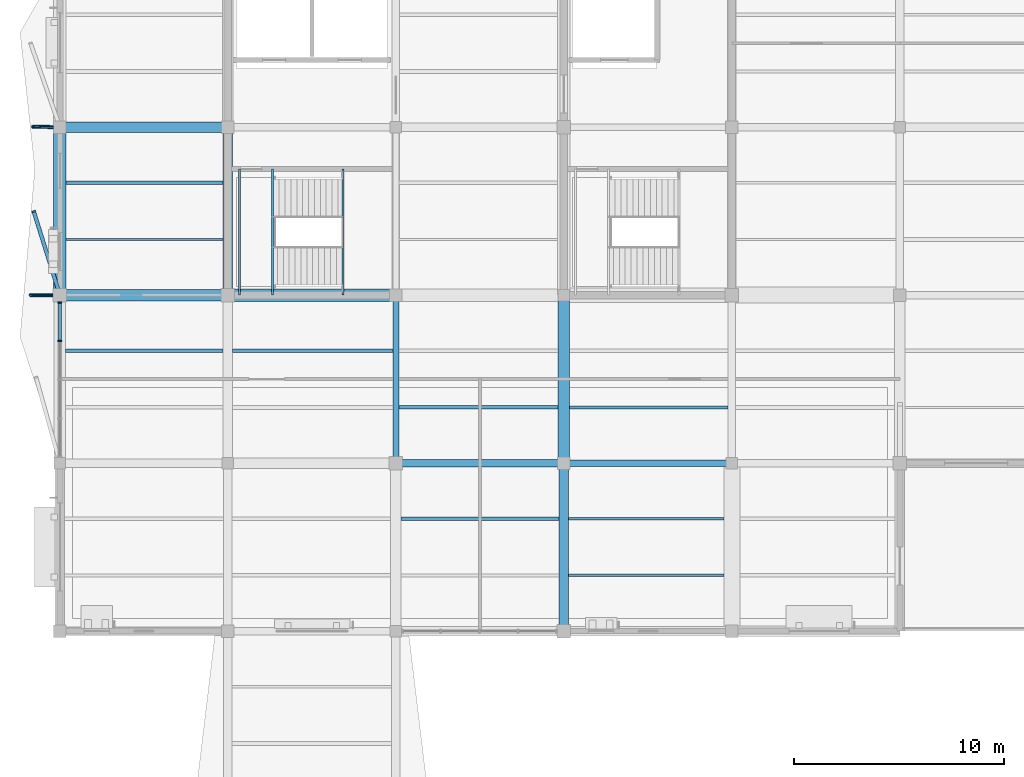
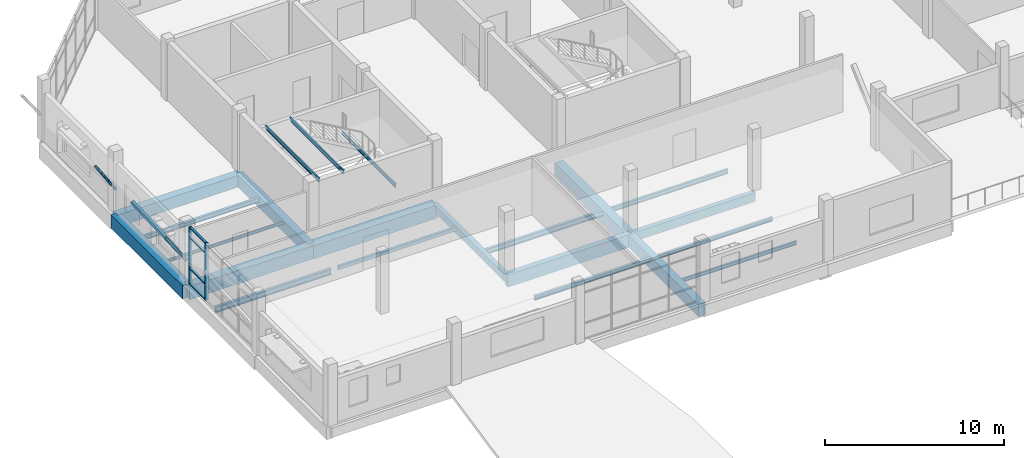
# One storey, part 16 of 72: 22 beams, 9 members, 1 element without a shape of its own.
"""IFC4 building model written with IfcOpenShell, lengths in metres."""

from ifc_helpers import new_model, si_unit, direction, frame, origin, origin_2d, place, context, subcontext, project, spatial, rectangle, hollow_rectangle, hollow_circle, i_section, extrude, material, material_profile, profile_set, type_object, element, aggregate, save


model = new_model("IFC4")

# Units and contexts
model_context = context("Model", 3, precision=1e-05, world=origin(), true_north=direction((0.0, 1.0)))
body_context = subcontext(model_context, "Body", "Model", "MODEL_VIEW")
ifc_project = project(units=[si_unit("LENGTHUNIT", "METRE"), si_unit("AREAUNIT", "SQUARE_METRE"), si_unit("VOLUMEUNIT", "CUBIC_METRE"), si_unit("PLANEANGLEUNIT", "RADIAN"), si_unit("MASSUNIT", "GRAM", prefix="KILO")], contexts=[model_context])

# Site, building, storey
site_placement = place(None, origin())
site = spatial("IfcSite", under=ifc_project, at=site_placement, CompositionType="ELEMENT")
building_placement = place(site_placement, origin())
building = spatial("IfcBuilding", under=site, at=building_placement, Name="Tenunan Teduh Sports Hall", CompositionType="ELEMENT")
storey_placement = place(building_placement, frame((0.0, 0.0, 15.0)))
storey = spatial("IfcBuildingStorey", under=building, at=storey_placement, Name="L03", CompositionType="ELEMENT", Elevation=15.0)

# Beams
ifc_material_1 = material(Name="Concrete C40/50", Category="concrete")
ifc_material_profile_1 = material_profile(ifc_material_1, rectangle(XDim=0.300048828125, YDim=0.5, at=origin_2d()), Name="RCB 300x500")
ifc_profile_set_1 = profile_set([ifc_material_profile_1], Name="Concrete C40/50")
beam_type_1 = type_object("IfcBeamType", Name="BM-RC-300x500", PredefinedType="BEAM", material=ifc_profile_set_1)
beam_1_placement = place(storey_placement, frame((22.0, 86.0, -0.489990234375), z_axis=(0.0, 1.0, 0.0), x_axis=(-1.0, 0.0, 0.0)))
element("IfcBeam", 1, at=beam_1_placement, inside=storey, type_object=beam_type_1, Name="BM-B-01-L03-1899", PredefinedType="BEAM", context=body_context, shape_type="SweptSolid", body=[
    extrude(rectangle(XDim=0.300048828125, YDim=0.5, at=origin_2d()), origin(), (0.0, 0.0, 1.0), 8.0),
])
ifc_material_2 = material(Name="Concrete C40/50", Category="concrete")
ifc_material_profile_2 = material_profile(ifc_material_2, rectangle(XDim=0.300048828125, YDim=0.60009765625, at=origin_2d()), Name="RCB 300x600")
ifc_profile_set_2 = profile_set([ifc_material_profile_2], Name="Concrete C40/50")
beam_type_2 = type_object("IfcBeamType", Name="BM-RC-300x600", PredefinedType="BEAM", material=ifc_profile_set_2)
beam_2_placement = place(storey_placement, frame((30.0, 86.0, -0.5400390625), z_axis=(1.0, 0.0, 0.0), x_axis=(0.0, 1.0, 0.0)))
element("IfcBeam", 2, at=beam_2_placement, inside=storey, type_object=beam_type_2, Name="BM-B-03-L03-1837", PredefinedType="BEAM", context=body_context, shape_type="SweptSolid", body=[
    extrude(rectangle(XDim=0.300048828125, YDim=0.60009765625, at=origin_2d()), origin(), (0.0, 0.0, 1.0), 8.0),
])
ifc_material_3 = material(Name="Concrete C40/50", Category="concrete")
ifc_material_profile_3 = material_profile(ifc_material_3, rectangle(XDim=0.449951171875, YDim=0.800048828125, at=origin_2d()), Name="RCB 450x800")
ifc_profile_set_3 = profile_set([ifc_material_profile_3], Name="Concrete C40/50")
beam_type_3 = type_object("IfcBeamType", Name="BM-RC-450x800", PredefinedType="BEAM", material=ifc_profile_set_3)
beam_3_placement = place(storey_placement, frame((14.0, 94.0, -0.639892578125), z_axis=(0.0, 1.0, 0.0), x_axis=(-1.0, 0.0, 0.0)))
element("IfcBeam", 3, at=beam_3_placement, inside=storey, type_object=beam_type_3, Name="BM-B-12-L03-1891", PredefinedType="BEAM", context=body_context, shape_type="SweptSolid", body=[
    extrude(rectangle(XDim=0.449951171875, YDim=0.800048828125, at=origin_2d()), origin(), (0.0, 0.0, 1.0), 8.0),
])
ifc_material_4 = material(Name="Concrete C40/50", Category="concrete")
ifc_material_profile_4 = material_profile(ifc_material_4, rectangle(XDim=0.449951171875, YDim=0.85009765625, at=origin_2d()), Name="RCB 450x850")
ifc_profile_set_4 = profile_set([ifc_material_profile_4], Name="Concrete C40/50")
beam_type_4 = type_object("IfcBeamType", Name="BM-RC-450x850", PredefinedType="BEAM", material=ifc_profile_set_4)
beam_4_placement = place(storey_placement, frame((30.0, 78.0, -0.6650390625), z_axis=(0.0, 1.0, 0.0), x_axis=(-1.0, 0.0, 0.0)))
element("IfcBeam", 4, at=beam_4_placement, inside=storey, type_object=beam_type_4, Name="BM-B-13-L03-1903", PredefinedType="BEAM", context=body_context, shape_type="SweptSolid", body=[
    extrude(rectangle(XDim=0.449951171875, YDim=0.85009765625, at=origin_2d()), origin(), (0.0, 0.0, 1.0), 8.0),
])
ifc_material_5 = material(Name="Concrete C40/50", Category="concrete")
ifc_material_profile_5 = material_profile(ifc_material_5, rectangle(XDim=0.5, YDim=0.800048828125, at=origin_2d()), Name="RCB 500x800")
ifc_profile_set_5 = profile_set([ifc_material_profile_5], Name="Concrete C40/50")
beam_type_5 = type_object("IfcBeamType", Name="BM-RC-500x800", PredefinedType="BEAM", material=ifc_profile_set_5)
beam_5_placement = place(storey_placement, frame((6.0, 102.0, -0.639892578125), z_axis=(1.0, 0.0, 0.0), x_axis=(0.0, 1.0, 0.0)))
element("IfcBeam", 5, at=beam_5_placement, inside=storey, type_object=beam_type_5, Name="BM-B-14-L03-1851", PredefinedType="BEAM", context=body_context, shape_type="SweptSolid", body=[
    extrude(rectangle(XDim=0.5, YDim=0.800048828125, at=origin_2d()), origin(), (0.0, 0.0, 1.0), 8.0),
])
ifc_material_6 = material(Name="Concrete C40/50", Category="concrete")
ifc_material_profile_6 = material_profile(ifc_material_6, rectangle(XDim=0.550048828125, YDim=0.89990234375, at=origin_2d()), Name="RCB 550x900")
ifc_profile_set_6 = profile_set([ifc_material_profile_6], Name="Concrete C40/50")
beam_type_6 = type_object("IfcBeamType", Name="BM-RC-550x900", PredefinedType="BEAM", material=ifc_profile_set_6)
for number, where, z_axis, x_axis, name in (
    (6, (6.0, 94.0, -0.68994140625), (1.0, 0.0, 0.0), (0.0, 1.0, 0.0), "BM-B-16-L03-1841"),
    (7, (30.0, 86.0, -0.68994140625), (0.0, 1.0, 0.0), (-1.0, 0.0, 0.0), "BM-B-16-L03-1904"),
):
    element("IfcBeam", number, at=place(storey_placement, frame(where, z_axis=z_axis, x_axis=x_axis)), inside=storey, type_object=beam_type_6, Name=name, PredefinedType="BEAM", context=body_context, shape_type="SweptSolid", body=[
        extrude(rectangle(XDim=0.550048828125, YDim=0.89990234375, at=origin_2d()), origin(), (0.0, 0.0, 1.0), 8.0),
    ])
ifc_material_7 = material(Name="Concrete C40/50", Category="concrete")
ifc_material_profile_7 = material_profile(ifc_material_7, rectangle(XDim=0.60009765625, YDim=0.89990234375, at=origin_2d()), Name="RCB 600x900")
ifc_profile_set_7 = profile_set([ifc_material_profile_7], Name="Concrete C40/50")
beam_type_7 = type_object("IfcBeamType", Name="BM-RC-600x900", PredefinedType="BEAM", material=ifc_profile_set_7)
for number, where, z_axis, x_axis, name in (
    (8, (14.0, 94.0, -0.68994140625), (1.0, 0.0, 0.0), (0.0, 1.0, 0.0), "BM-B-17-L03-1842"),
    (9, (6.0, 94.0, -0.68994140625), (0.0, 1.0, 0.0), (-1.0, 0.0, 0.0), "BM-B-17-L03-1883"),
):
    element("IfcBeam", number, at=place(storey_placement, frame(where, z_axis=z_axis, x_axis=x_axis)), inside=storey, type_object=beam_type_7, Name=name, PredefinedType="BEAM", context=body_context, shape_type="SweptSolid", body=[
        extrude(rectangle(XDim=0.60009765625, YDim=0.89990234375, at=origin_2d()), origin(), (0.0, 0.0, 1.0), 8.0),
    ])
ifc_material_8 = material(Name="Concrete C40/50", Category="concrete")
ifc_material_profile_8 = material_profile(ifc_material_8, rectangle(XDim=0.35009765625, YDim=0.85009765625, at=origin_2d()), Name="SPB 350x850")
ifc_profile_set_8 = profile_set([ifc_material_profile_8], Name="Concrete C40/50")
beam_type_8 = type_object("IfcBeamType", Name="BM-SP-350x850", PredefinedType="SPANDREL", material=ifc_profile_set_8)
beam_6_placement = place(storey_placement, frame((22.0, 86.0, -0.6650390625), z_axis=(1.0, 0.0, 0.0), x_axis=(0.0, 1.0, 0.0)))
element("IfcBeam", 10, at=beam_6_placement, inside=storey, type_object=beam_type_8, Name="BM-SP-02-L03-1836", PredefinedType="SPANDREL", context=body_context, shape_type="SweptSolid", body=[
    extrude(rectangle(XDim=0.35009765625, YDim=0.85009765625, at=origin_2d()), origin(), (0.0, 0.0, 1.0), 8.0),
])

# Curtain wall, members
ifc_material_9 = material(Name="Anodised aluminium", Category="aluminium")
curtain_wall_type = type_object("IfcCurtainWallType", Name="CW-UNIT-2", PredefinedType="NOTDEFINED", material=ifc_material_9)
curtain_wall_placement = place(storey_placement, origin())
curtain_wall = element("IfcCurtainWall", 11, at=curtain_wall_placement, inside=storey, type_object=curtain_wall_type, Name="CW-CWM-200-L03-228", PredefinedType="NOTDEFINED")
ifc_material_10 = material(Name="Anodised aluminium", Category="aluminium")
ifc_material_profile_9 = material_profile(ifc_material_10, rectangle(XDim=0.070068359375, YDim=0.199951171875, at=origin_2d()), Name="CWM 70x200")
ifc_profile_set_9 = profile_set([ifc_material_profile_9], Name="Anodised aluminium")
member_type_1 = type_object("IfcMemberType", Name="CWM-200", PredefinedType="MULLION", material=ifc_profile_set_9)
member_1_placement = place(storey_placement, frame((6.0, 91.824951171875, 0.0), z_axis=(0.0, 0.0, 1.0), x_axis=(0.0, 1.0, 0.0)))
member_1 = element("IfcMember", 12, at=member_1_placement, type_object=member_type_1, Name="CW-02 mullion 4", PredefinedType="MULLION", context=body_context, shape_type="SweptSolid", body=[
    extrude(rectangle(XDim=0.070068359375, YDim=0.199951171875, at=origin_2d()), origin(), (0.0, 0.0, 1.0), 3.919921875),
])
member_2_placement = place(storey_placement, frame((6.0, 93.639892578125, 0.0), z_axis=(0.0, 0.0, 1.0), x_axis=(0.0, 1.0, 0.0)))
member_2 = element("IfcMember", 13, at=member_2_placement, type_object=member_type_1, Name="CW-02 mullion 5", PredefinedType="MULLION", context=body_context, shape_type="SweptSolid", body=[
    extrude(rectangle(XDim=0.070068359375, YDim=0.199951171875, at=origin_2d()), origin(), (0.0, 0.0, 1.0), 3.919921875),
])
ifc_material_11 = material(Name="Anodised aluminium", Category="aluminium")
ifc_material_profile_10 = material_profile(ifc_material_11, rectangle(XDim=0.070068359375, YDim=0.159912109375, at=origin_2d()), Name="CWT 70x160")
ifc_profile_set_10 = profile_set([ifc_material_profile_10], Name="Anodised aluminium")
member_type_2 = type_object("IfcMemberType", Name="CWT-200", PredefinedType="USERDEFINED", material=ifc_profile_set_10)
member_3_placement = place(storey_placement, frame((6.0, 91.860107421875, 0.034912109375), z_axis=(0.0, 1.0, 0.0), x_axis=(0.0, 0.0, 1.0)))
member_3 = element("IfcMember", 14, at=member_3_placement, type_object=member_type_2, Name="CW-02 transom 4.1", ObjectType="TRANSOM", PredefinedType="USERDEFINED", context=body_context, shape_type="SweptSolid", body=[
    extrude(rectangle(XDim=0.070068359375, YDim=0.159912109375, at=origin_2d()), origin(), (0.0, 0.0, 1.0), 1.744873046875),
])
member_4_placement = place(storey_placement, frame((6.0, 91.860107421875, 1.10009765625), z_axis=(0.0, 1.0, 0.0), x_axis=(0.0, 0.0, 1.0)))
member_4 = element("IfcMember", 15, at=member_4_placement, type_object=member_type_2, Name="CW-02 transom 4.2", ObjectType="TRANSOM", PredefinedType="USERDEFINED", context=body_context, shape_type="SweptSolid", body=[
    extrude(rectangle(XDim=0.070068359375, YDim=0.159912109375, at=origin_2d()), origin(), (0.0, 0.0, 1.0), 1.744873046875),
])
member_5_placement = place(storey_placement, frame((6.0, 91.860107421875, 3.199951171875), z_axis=(0.0, 1.0, 0.0), x_axis=(0.0, 0.0, 1.0)))
member_5 = element("IfcMember", 16, at=member_5_placement, type_object=member_type_2, Name="CW-02 transom 4.3", ObjectType="TRANSOM", PredefinedType="USERDEFINED", context=body_context, shape_type="SweptSolid", body=[
    extrude(rectangle(XDim=0.070068359375, YDim=0.159912109375, at=origin_2d()), origin(), (0.0, 0.0, 1.0), 1.744873046875),
])
member_6_placement = place(storey_placement, frame((6.0, 91.860107421875, 3.885009765625), z_axis=(0.0, 1.0, 0.0), x_axis=(0.0, 0.0, 1.0)))
member_6 = element("IfcMember", 17, at=member_6_placement, type_object=member_type_2, Name="CW-02 transom 4.4", ObjectType="TRANSOM", PredefinedType="USERDEFINED", context=body_context, shape_type="SweptSolid", body=[
    extrude(rectangle(XDim=0.070068359375, YDim=0.159912109375, at=origin_2d()), origin(), (0.0, 0.0, 1.0), 1.744873046875),
])
aggregate(curtain_wall, [member_1, member_2, member_3, member_4, member_5, member_6])

# Beams
ifc_material_12 = material(Name="Steel S355", Category="steel")
ifc_material_profile_11 = material_profile(ifc_material_12, i_section(OverallWidth=0.10009765625, OverallDepth=0.199951171875, WebThickness=0.005615234375, FlangeThickness=0.008544921875, FilletRadius=0.011962890625, at=origin_2d()), Name="IPE 200")
ifc_profile_set_11 = profile_set([ifc_material_profile_11], Name="Steel S355")
beam_type_9 = type_object("IfcBeamType", Name="JST-IPE200", PredefinedType="JOIST", material=ifc_profile_set_11)
beam_7_placement = place(storey_placement, frame((6.300048828125, 96.64990234375, -0.340087890625), z_axis=(1.0, 0.0, 0.0), x_axis=(0.0, 1.0, 0.0)))
element("IfcBeam", 18, at=beam_7_placement, inside=storey, type_object=beam_type_9, Name="BM-J-01-L03-1950", PredefinedType="JOIST", context=body_context, shape_type="SweptSolid", body=[
    extrude(i_section(OverallWidth=0.10009765625, OverallDepth=0.199951171875, WebThickness=0.005615234375, FlangeThickness=0.008544921875, FilletRadius=0.011962890625, at=origin_2d()), origin(), (0.0, 0.0, 1.0), 7.474853515625),
])
ifc_material_13 = material(Name="Steel S355", Category="steel")
ifc_material_profile_12 = material_profile(ifc_material_13, i_section(OverallWidth=0.1201171875, OverallDepth=0.239990234375, WebThickness=0.006103515625, FlangeThickness=0.009765625, FilletRadius=0.014892578125, at=origin_2d()), Name="IPE 240")
ifc_profile_set_12 = profile_set([ifc_material_profile_12], Name="Steel S355")
beam_type_10 = type_object("IfcBeamType", Name="JST-IPE240", PredefinedType="JOIST", material=ifc_profile_set_12)
beam_8_placement = place(storey_placement, frame((30.22509765625, 80.64990234375, -0.360107421875), z_axis=(1.0, 0.0, 0.0), x_axis=(0.0, 1.0, 0.0)))
element("IfcBeam", 19, at=beam_8_placement, inside=storey, type_object=beam_type_10, Name="BM-J-02-L03-1978", PredefinedType="JOIST", context=body_context, shape_type="SweptSolid", body=[
    extrude(i_section(OverallWidth=0.1201171875, OverallDepth=0.239990234375, WebThickness=0.006103515625, FlangeThickness=0.009765625, FilletRadius=0.014892578125, at=origin_2d()), origin(), (0.0, 0.0, 1.0), 7.39990234375),
])
ifc_material_14 = material(Name="Steel S355", Category="steel")
ifc_material_profile_13 = material_profile(ifc_material_14, i_section(OverallWidth=0.135009765625, OverallDepth=0.27001953125, WebThickness=0.006591796875, FlangeThickness=0.01025390625, FilletRadius=0.014892578125, at=origin_2d()), Name="IPE 270")
ifc_profile_set_13 = profile_set([ifc_material_profile_13], Name="Steel S355")
beam_type_11 = type_object("IfcBeamType", Name="JST-IPE270", PredefinedType="JOIST", material=ifc_profile_set_13)
beam_9_placement = place(storey_placement, frame((30.22509765625, 83.35009765625, -0.375), z_axis=(1.0, 0.0, 0.0), x_axis=(0.0, 1.0, 0.0)))
element("IfcBeam", 20, at=beam_9_placement, inside=storey, type_object=beam_type_11, Name="BM-J-03-L03-1979", PredefinedType="JOIST", context=body_context, shape_type="SweptSolid", body=[
    extrude(i_section(OverallWidth=0.135009765625, OverallDepth=0.27001953125, WebThickness=0.006591796875, FlangeThickness=0.01025390625, FilletRadius=0.014892578125, at=origin_2d()), origin(), (0.0, 0.0, 1.0), 7.39990234375),
])
ifc_material_15 = material(Name="Steel S355", Category="steel")
ifc_material_profile_14 = material_profile(ifc_material_15, i_section(OverallWidth=0.14990234375, OverallDepth=0.300048828125, WebThickness=0.007080078125, FlangeThickness=0.0107421875, FilletRadius=0.014892578125, at=origin_2d()), Name="IPE 300")
ifc_profile_set_14 = profile_set([ifc_material_profile_14], Name="Steel S355")
beam_type_12 = type_object("IfcBeamType", Name="JST-IPE300", PredefinedType="JOIST", material=ifc_profile_set_14)
beam_10_placement = place(storey_placement, frame((22.25, 83.35009765625, -0.389892578125), z_axis=(1.0, 0.0, 0.0), x_axis=(0.0, 1.0, 0.0)))
element("IfcBeam", 21, at=beam_10_placement, inside=storey, type_object=beam_type_12, Name="BM-J-04-L03-1969", PredefinedType="JOIST", context=body_context, shape_type="SweptSolid", body=[
    extrude(i_section(OverallWidth=0.14990234375, OverallDepth=0.300048828125, WebThickness=0.007080078125, FlangeThickness=0.0107421875, FilletRadius=0.014892578125, at=origin_2d()), origin(), (0.0, 0.0, 1.0), 7.52490234375),
])
beam_11_placement = place(storey_placement, frame((30.27490234375, 88.64990234375, -0.389892578125), z_axis=(1.0, 0.0, 0.0), x_axis=(0.0, 1.0, 0.0)))
element("IfcBeam", 22, at=beam_11_placement, inside=storey, type_object=beam_type_12, Name="BM-J-04-L03-1980", PredefinedType="JOIST", context=body_context, shape_type="SweptSolid", body=[
    extrude(i_section(OverallWidth=0.14990234375, OverallDepth=0.300048828125, WebThickness=0.007080078125, FlangeThickness=0.0107421875, FilletRadius=0.014892578125, at=origin_2d()), origin(), (0.0, 0.0, 1.0), 7.550048828125),
])
ifc_material_16 = material(Name="Steel S355", Category="steel")
ifc_material_profile_15 = material_profile(ifc_material_16, i_section(OverallWidth=0.169921875, OverallDepth=0.360107421875, WebThickness=0.008056640625, FlangeThickness=0.0126953125, FilletRadius=0.01806640625, at=origin_2d()), Name="IPE 360")
ifc_profile_set_15 = profile_set([ifc_material_profile_15], Name="Steel S355")
beam_type_13 = type_object("IfcBeamType", Name="JST-IPE360", PredefinedType="JOIST", material=ifc_profile_set_15)
beam_12_placement = place(storey_placement, frame((22.14990234375, 88.64990234375, -0.419921875), z_axis=(1.0, 0.0, 0.0), x_axis=(0.0, 1.0, 0.0)))
element("IfcBeam", 23, at=beam_12_placement, inside=storey, type_object=beam_type_13, Name="BM-J-05-L03-1970", PredefinedType="JOIST", context=body_context, shape_type="SweptSolid", body=[
    extrude(i_section(OverallWidth=0.169921875, OverallDepth=0.360107421875, WebThickness=0.008056640625, FlangeThickness=0.0126953125, FilletRadius=0.01806640625, at=origin_2d()), origin(), (0.0, 0.0, 1.0), 7.5751953125),
])
ifc_material_17 = material(Name="Steel S355", Category="steel")
ifc_material_profile_16 = material_profile(ifc_material_17, i_section(OverallWidth=0.179931640625, OverallDepth=0.39990234375, WebThickness=0.008544921875, FlangeThickness=0.013427734375, FilletRadius=0.02099609375, at=origin_2d()), Name="IPE 400")
ifc_profile_set_16 = profile_set([ifc_material_profile_16], Name="Steel S355")
beam_type_14 = type_object("IfcBeamType", Name="JST-IPE400", PredefinedType="JOIST", material=ifc_profile_set_16)
beam_13_placement = place(storey_placement, frame((6.27490234375, 91.35009765625, -0.43994140625), z_axis=(1.0, 0.0, 0.0), x_axis=(0.0, 1.0, 0.0)))
element("IfcBeam", 24, at=beam_13_placement, inside=storey, type_object=beam_type_14, Name="BM-J-06-L03-1949", PredefinedType="JOIST", context=body_context, shape_type="SweptSolid", body=[
    extrude(i_section(OverallWidth=0.179931640625, OverallDepth=0.39990234375, WebThickness=0.008544921875, FlangeThickness=0.013427734375, FilletRadius=0.02099609375, at=origin_2d()), origin(), (0.0, 0.0, 1.0), 7.5),
])

# Members
ifc_material_18 = material(Name="Steel S355", Category="steel")
ifc_material_profile_17 = material_profile(ifc_material_18, hollow_circle(Radius=0.084228515625, WallThickness=0.008056640625, at=origin_2d()), Name="CHS 168.3x8.0")
ifc_profile_set_17 = profile_set([ifc_material_profile_17], Name="Steel S355")
member_type_3 = type_object("IfcMemberType", Name="MEM-BR-CHS168", PredefinedType="BRACE", material=ifc_profile_set_17)
member_7_placement = place(storey_placement, frame((6.0, 94.0, 1.39990234375), z_axis=(-0.56960249662, 0.0, 0.821920309911), x_axis=(0.0, -1.0, 0.0)))
element("IfcMember", 25, at=member_7_placement, inside=storey, type_object=member_type_3, Name="MEM-GD-04-L03-1271", PredefinedType="BRACE", context=body_context, shape_type="SweptSolid", body=[
    extrude(hollow_circle(Radius=0.084228515625, WallThickness=0.008056640625, at=origin_2d()), origin(), (0.0, 0.0, 1.0), 2.457763671875),
])
member_8_placement = place(storey_placement, frame((6.0, 102.0, 1.39990234375), z_axis=(-0.536993854343, 0.00509772028, 0.843570752009), x_axis=(-0.009492642338, -0.999954943856, 0.0)))
element("IfcMember", 26, at=member_8_placement, inside=storey, type_object=member_type_3, Name="MEM-GD-04-L03-1273", PredefinedType="BRACE", context=body_context, shape_type="SweptSolid", body=[
    extrude(hollow_circle(Radius=0.084228515625, WallThickness=0.008056640625, at=origin_2d()), origin(), (0.0, 0.0, 1.0), 2.39453125),
])
ifc_material_19 = material(Name="Steel S355", Category="steel")
ifc_material_profile_18 = material_profile(ifc_material_19, hollow_rectangle(XDim=0.179931640625, YDim=0.179931640625, WallThickness=0.010009765625, at=origin_2d()), Name="SHS 180x180x10.0")
ifc_profile_set_18 = profile_set([ifc_material_profile_18], Name="Steel S355")
member_type_4 = type_object("IfcMemberType", Name="MEM-ST-SHS180", PredefinedType="STRUT", material=ifc_profile_set_18)
member_9_placement = place(storey_placement, frame((6.0, 94.0, 1.39990234375), z_axis=(-0.268479569831, 0.859271441744, 0.435397875497), x_axis=(-0.954493498416, -0.298231724473, 0.0)))
element("IfcMember", 27, at=member_9_placement, inside=storey, type_object=member_type_4, Name="MEM-VS-03-L03-1272", PredefinedType="STRUT", context=body_context, shape_type="SweptSolid", body=[
    extrude(hollow_rectangle(XDim=0.179931640625, YDim=0.179931640625, WallThickness=0.010009765625, at=origin_2d()), origin(), (0.0, 0.0, 1.0), 4.639404296875),
])

# Beams
ifc_material_20 = material(Name="Steel S355", Category="steel")
ifc_material_profile_19 = material_profile(ifc_material_20, hollow_rectangle(XDim=0.14990234375, YDim=0.25, WallThickness=0.010009765625, at=origin_2d()), Name="RHS 250x150x10.0")
ifc_profile_set_19 = profile_set([ifc_material_profile_19], Name="Steel S355")
beam_type_15 = type_object("IfcBeamType", Name="RBM-RHS250", PredefinedType="BEAM", material=ifc_profile_set_19)
beam_14_placement = place(storey_placement, frame((14.22509765625, 91.35009765625, -0.364990234375), z_axis=(1.0, 0.0, 0.0), x_axis=(0.0, 1.0, 0.0)))
element("IfcBeam", 28, at=beam_14_placement, inside=storey, type_object=beam_type_15, Name="Perimeter Ring Beam BM-RB-04-L03-1965", PredefinedType="BEAM", context=body_context, shape_type="SweptSolid", body=[
    extrude(hollow_rectangle(XDim=0.14990234375, YDim=0.25, WallThickness=0.010009765625, at=origin_2d()), origin(), (0.0, 0.0, 1.0), 7.625),
])
ifc_material_21 = material(Name="Steel S355", Category="steel")
ifc_material_profile_20 = material_profile(ifc_material_21, i_section(OverallWidth=0.1650390625, OverallDepth=0.303466796875, WebThickness=0.006103515625, FlangeThickness=0.01025390625, FilletRadius=0.0087890625, at=origin_2d()), Name="UKB 305x165x40")
ifc_profile_set_20 = profile_set([ifc_material_profile_20], Name="Steel S355")
beam_type_16 = type_object("IfcBeamType", Name="SBM-UKB305", PredefinedType="BEAM", material=ifc_profile_set_20)
beam_15_placement = place(storey_placement, frame((6.300048828125, 99.35009765625, -0.3916015625), z_axis=(1.0, 0.0, 0.0), x_axis=(0.0, 1.0, 0.0)))
element("IfcBeam", 29, at=beam_15_placement, inside=storey, type_object=beam_type_16, Name="BM-SB-01-L03-1951", PredefinedType="BEAM", context=body_context, shape_type="SweptSolid", body=[
    extrude(i_section(OverallWidth=0.1650390625, OverallDepth=0.303466796875, WebThickness=0.006103515625, FlangeThickness=0.01025390625, FilletRadius=0.0087890625, at=origin_2d()), origin(), (0.0, 0.0, 1.0), 7.474853515625),
])
ifc_material_22 = material(Name="Steel S355", Category="steel")
ifc_material_profile_21 = material_profile(ifc_material_22, i_section(OverallWidth=0.090087890625, OverallDepth=0.260009765625, WebThickness=0.008056640625, FlangeThickness=0.013916015625, FilletRadius=0.011962890625, at=origin_2d()), Name="PFC 260x90")
ifc_profile_set_21 = profile_set([ifc_material_profile_21], Name="Steel S355")
beam_type_17 = type_object("IfcBeamType", Name="STR-BM-TRIM", PredefinedType="BEAM", material=ifc_profile_set_21)
for number, where, z_axis, x_axis, name in (
    (30, (19.47998046875, 94.0, 1.77001953125), (0.0, 1.0, 0.0), (-1.0, 0.0, 0.0), "BM-SS-02-W1-L03-M"),
    (31, (16.1201171875, 94.0, 3.8701171875), (0.0, 1.0, 0.0), (-1.0, 0.0, 0.0), "BM-SS-02-W1-L03-T"),
    (32, (14.550048828125, 94.0, 3.8701171875), (0.0, 1.0, 0.0), (-1.0, 0.0, 0.0), "BM-SS-02-W1-L03-TW"),
):
    element("IfcBeam", number, at=place(storey_placement, frame(where, z_axis=z_axis, x_axis=x_axis)), inside=storey, type_object=beam_type_17, Name=name, PredefinedType="BEAM", context=body_context, shape_type="SweptSolid", body=[
        extrude(i_section(OverallWidth=0.090087890625, OverallDepth=0.260009765625, WebThickness=0.008056640625, FlangeThickness=0.013916015625, FilletRadius=0.011962890625, at=origin_2d()), origin(), (0.0, 0.0, 1.0), 6.0),
    ])

save(model, "model.ifc")
